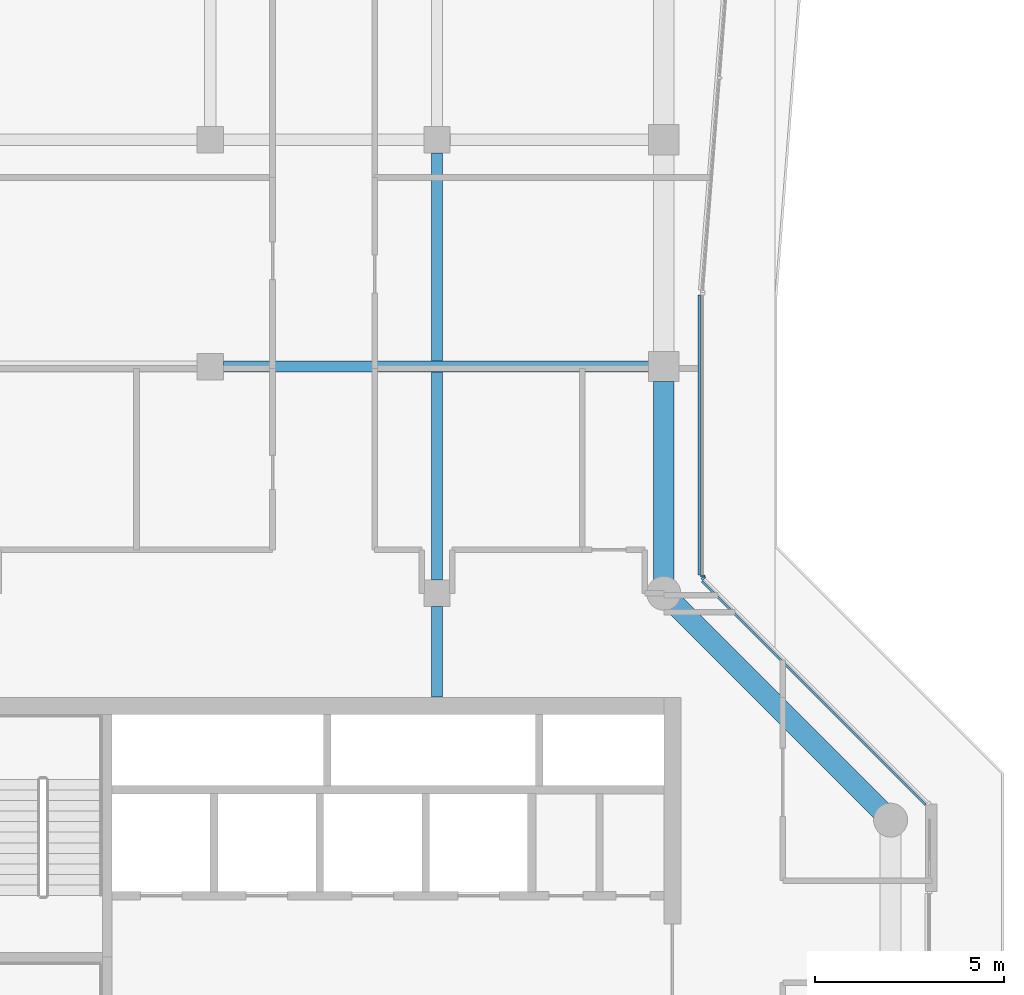
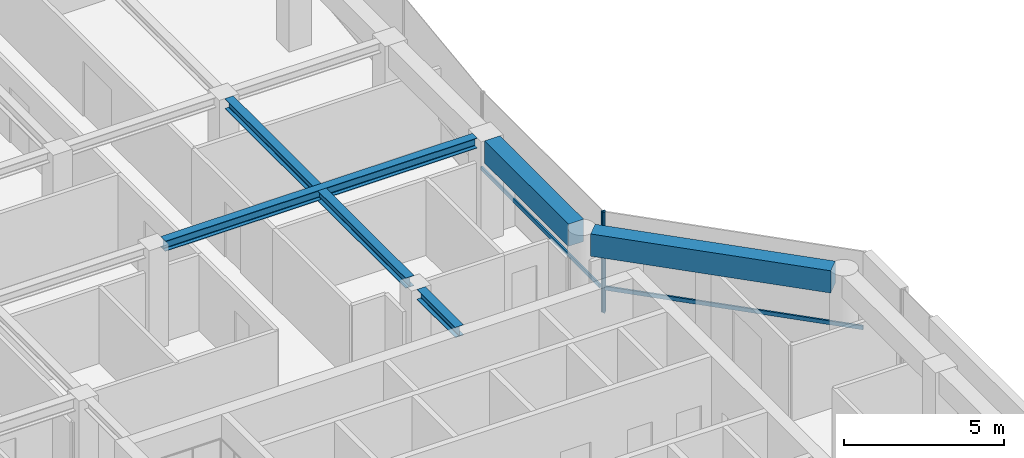
# One storey, part 5 of 23: 5 beams, 4 members, 2 elements without a shape of their own.
"""IFC4 building model written with IfcOpenShell, lengths in metres."""

from ifc_helpers import new_model, si_unit, direction, frame, origin, origin_2d, place, context, subcontext, project, spatial, rectangle, i_section, extrude, material, layer, layer_set, material_profile, profile_set, type_object, element, aggregate, save


model = new_model("IFC4")

# Units and contexts
model_context = context("Model", 3, precision=1e-05, world=origin(), true_north=direction((0.0, 1.0)))
body_context = subcontext(model_context, "Body", "Model", "MODEL_VIEW")
ifc_project = project(units=[si_unit("LENGTHUNIT", "METRE"), si_unit("AREAUNIT", "SQUARE_METRE"), si_unit("VOLUMEUNIT", "CUBIC_METRE"), si_unit("PLANEANGLEUNIT", "RADIAN"), si_unit("MASSUNIT", "GRAM", prefix="KILO")], contexts=[model_context])

# Site, building, storey
site_placement = place(None, origin())
site = spatial("IfcSite", under=ifc_project, at=site_placement, CompositionType="ELEMENT")
building_placement = place(site_placement, origin())
building = spatial("IfcBuilding", under=site, at=building_placement, Name="Welwitschia Terrace Campus", CompositionType="ELEMENT")
storey_placement = place(building_placement, frame((0.0, 0.0, 247.39990234375)))
storey = spatial("IfcBuildingStorey", under=building, at=storey_placement, Name="L55", CompositionType="ELEMENT", Elevation=247.39990234375)

# Beams
ifc_material_1 = material(Name="Steel S355", Category="steel")
ifc_material_profile_1 = material_profile(ifc_material_1, i_section(OverallWidth=0.300048828125, OverallDepth=0.389892578125, WebThickness=0.010986328125, FlangeThickness=0.01904296875, FilletRadius=0.027099609375, at=origin_2d()))
ifc_profile_set_1 = profile_set([ifc_material_profile_1], Name="Steel S355")
beam_type_1 = type_object("IfcBeamType", Name="Interior girder HE 400 A", PredefinedType="BEAM", material=ifc_profile_set_1)
beam_1_placement = place(storey_placement, frame((12.3505859375, 34.0, 3.655029296875), z_axis=(1.0, 0.0, 0.0), x_axis=(0.0, 1.0, 0.0)))
element("IfcBeam", 1, at=beam_1_placement, inside=storey, type_object=beam_type_1, Name="Girder GB5", PredefinedType="BEAM", context=body_context, shape_type="SweptSolid", body=[
    extrude(i_section(OverallWidth=0.300048828125, OverallDepth=0.389892578125, WebThickness=0.010986328125, FlangeThickness=0.01904296875, FilletRadius=0.027099609375, at=origin_2d()), origin(), (0.0, 0.0, 1.0), 11.259033203125),
])
beam_2_placement = place(storey_placement, frame((18.0, 25.2509765625, 3.655029296875), z_axis=(0.0, 1.0, 0.0), x_axis=(-1.0, 0.0, 0.0)))
element("IfcBeam", 2, at=beam_2_placement, inside=storey, type_object=beam_type_1, Name="Girder GB5", PredefinedType="BEAM", context=body_context, shape_type="SweptSolid", body=[
    extrude(i_section(OverallWidth=0.300048828125, OverallDepth=0.389892578125, WebThickness=0.010986328125, FlangeThickness=0.01904296875, FilletRadius=0.027099609375, at=origin_2d()), origin(), (0.0, 0.0, 1.0), 2.3984375),
])
beam_3_placement = place(storey_placement, frame((18.0, 28.3505859375, 3.655029296875), z_axis=(0.0, 1.0, 0.0), x_axis=(-1.0, 0.0, 0.0)))
element("IfcBeam", 3, at=beam_3_placement, inside=storey, type_object=beam_type_1, Name="Girder GB5", PredefinedType="BEAM", context=body_context, shape_type="SweptSolid", body=[
    extrude(i_section(OverallWidth=0.300048828125, OverallDepth=0.389892578125, WebThickness=0.010986328125, FlangeThickness=0.01904296875, FilletRadius=0.027099609375, at=origin_2d()), origin(), (0.0, 0.0, 1.0), 11.298828125),
])

# Curtain wall, member
ifc_material_2 = material(Name="Bronze anodised aluminium", Category="aluminium")
ifc_layer = layer(ifc_material_2, 0.1201171875)
ifc_layer_set = layer_set([ifc_layer], Name="Bronze anodised aluminium")
curtain_wall_type = type_object("IfcCurtainWallType", Name="Curtain wall CW2 tower 6000", PredefinedType="NOTDEFINED", material=ifc_layer_set)
curtain_wall_1_placement = place(storey_placement, origin())
curtain_wall_1 = element("IfcCurtainWall", 4, at=curtain_wall_1_placement, inside=storey, type_object=curtain_wall_type, Name="CW L55.6.0", PredefinedType="NOTDEFINED")
ifc_material_3 = material(Name="Bronze anodised aluminium", Category="aluminium")
ifc_material_profile_2 = material_profile(ifc_material_3, rectangle(XDim=0.1201171875, YDim=0.06005859375, at=origin_2d()))
ifc_profile_set_2 = profile_set([ifc_material_profile_2], Name="Bronze anodised aluminium")
member_type_1 = type_object("IfcMemberType", Name="Mullion 60x120", PredefinedType="MULLION", material=ifc_profile_set_2)
member_1_placement = place(storey_placement, frame((25.05126953125, 28.405517578125, 0.0), z_axis=(0.0, 0.0, 1.0), x_axis=(-0.707106781187, -0.707106781187, 0.0)))
member_1 = element("IfcMember", 5, at=member_1_placement, type_object=member_type_1, Name="Mullion L55.6.0.1", PredefinedType="MULLION", context=body_context, shape_type="SweptSolid", body=[
    extrude(rectangle(XDim=0.1201171875, YDim=0.06005859375, at=origin_2d()), origin(), (0.0, 0.0, 1.0), 3.85009765625),
])

curtain_wall_2_placement = place(storey_placement, origin())
curtain_wall_2 = element("IfcCurtainWall", 6, at=curtain_wall_2_placement, inside=storey, type_object=curtain_wall_type, Name="CW L55.7.0", PredefinedType="NOTDEFINED")
member_2_placement = place(storey_placement, frame((25.030029296875, 28.45654296875, 0.0), z_axis=(0.0, 0.0, 1.0), x_axis=(-1.0, 0.0, 0.0)))
member_2 = element("IfcMember", 7, at=member_2_placement, type_object=member_type_1, Name="Mullion L55.7.0.0", PredefinedType="MULLION", context=body_context, shape_type="SweptSolid", body=[
    extrude(rectangle(XDim=0.1201171875, YDim=0.06005859375, at=origin_2d()), origin(), (0.0, 0.0, 1.0), 3.85009765625),
])

# Beams
ifc_material_4 = material(Name="Concrete C50/60", Category="concrete")
ifc_material_profile_3 = material_profile(ifc_material_4, rectangle(XDim=0.550048828125, YDim=0.85009765625, at=origin_2d()))
ifc_profile_set_3 = profile_set([ifc_material_profile_3], Name="Concrete C50/60")
beam_type_2 = type_object("IfcBeamType", Name="Ring spandrel 550x850", PredefinedType="SPANDREL", material=ifc_profile_set_3)
beam_4_placement = place(storey_placement, frame((29.74755859375, 22.25244140625, 3.425048828125), z_axis=(-0.707106781187, 0.707106781187, 0.0), x_axis=(-0.707106781187, -0.707106781187, 0.0)))
element("IfcBeam", 8, at=beam_4_placement, inside=storey, type_object=beam_type_2, Name="Spandrel SP3", PredefinedType="SPANDREL", context=body_context, shape_type="SweptSolid", body=[
    extrude(rectangle(XDim=0.550048828125, YDim=0.85009765625, at=origin_2d()), origin(), (0.0, 0.0, 1.0), 7.771240234375),
])
beam_5_placement = place(storey_placement, frame((24.0, 28.35693359375, 3.425048828125), z_axis=(0.0, 1.0, 0.0), x_axis=(-1.0, 0.0, 0.0)))
element("IfcBeam", 9, at=beam_5_placement, inside=storey, type_object=beam_type_2, Name="Spandrel SP3", PredefinedType="SPANDREL", context=body_context, shape_type="SweptSolid", body=[
    extrude(rectangle(XDim=0.550048828125, YDim=0.85009765625, at=origin_2d()), origin(), (0.0, 0.0, 1.0), 5.24267578125),
])

# Member
ifc_material_5 = material(Name="Bronze anodised aluminium", Category="aluminium")
ifc_material_profile_4 = material_profile(ifc_material_5, rectangle(XDim=0.06005859375, YDim=0.14990234375, at=origin_2d()))
ifc_profile_set_4 = profile_set([ifc_material_profile_4], Name="Bronze anodised aluminium")
member_type_2 = type_object("IfcMemberType", Name="Transom 60x150", PredefinedType="USERDEFINED", material=ifc_profile_set_4)
member_3_placement = place(storey_placement, frame((30.923828125, 22.405517578125, 1.0), z_axis=(-0.707106781187, 0.707106781187, 0.0), x_axis=(-0.707106781187, -0.707106781187, 0.0)))
member_3 = element("IfcMember", 10, at=member_3_placement, type_object=member_type_2, Name="Transom L55.6.0", ObjectType="TRANSOM", PredefinedType="USERDEFINED", context=body_context, shape_type="SweptSolid", body=[
    extrude(rectangle(XDim=0.06005859375, YDim=0.14990234375, at=origin_2d()), origin(), (0.0, 0.0, 1.0), 8.365234375),
])

aggregate(curtain_wall_1, [member_1, member_3])

member_4_placement = place(storey_placement, frame((24.93994140625, 28.486572265625, 1.0), z_axis=(0.0, 1.0, 0.0), x_axis=(-1.0, 0.0, 0.0)))
member_4 = element("IfcMember", 11, at=member_4_placement, type_object=member_type_2, Name="Transom L55.7.0", ObjectType="TRANSOM", PredefinedType="USERDEFINED", context=body_context, shape_type="SweptSolid", body=[
    extrude(rectangle(XDim=0.06005859375, YDim=0.14990234375, at=origin_2d()), origin(), (0.0, 0.0, 1.0), 7.406982421875),
])

aggregate(curtain_wall_2, [member_2, member_4])

save(model, "model.ifc")
